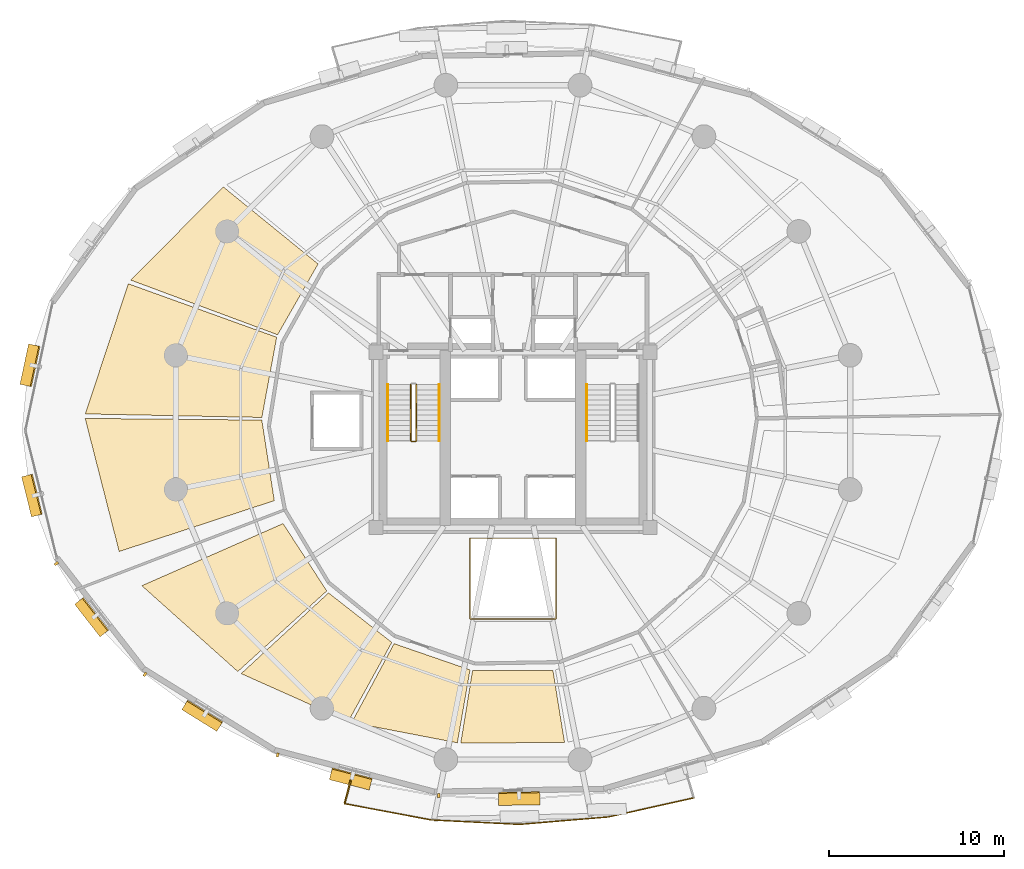
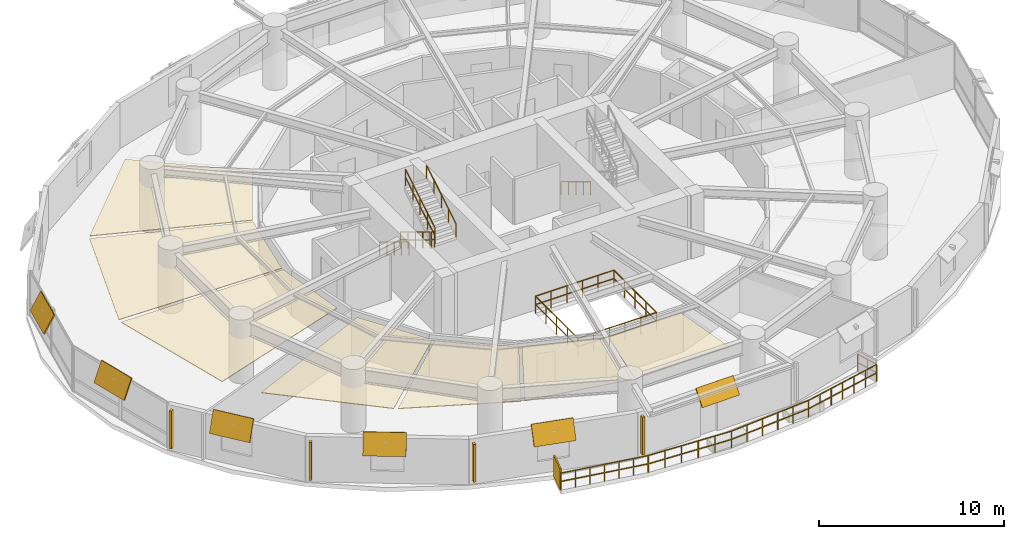
# One storey, part 15 of 17: 11 shading devices, 8 railings, 7 coverings.
"""IFC4 building model written with IfcOpenShell, lengths in metres."""

from ifc_helpers import new_model, si_unit, direction, frame, origin, origin_2d, place, context, subcontext, project, spatial, polyline, rectangle, outline, extrude, material, layer, layer_set, type_object, element, save


model = new_model("IFC4")

# Units and contexts
model_context = context("Model", 3, precision=1e-05, world=origin(), true_north=direction((0.0, 1.0)))
body_context = subcontext(model_context, "Body", "Model", "MODEL_VIEW")
ifc_project = project(units=[si_unit("LENGTHUNIT", "METRE"), si_unit("AREAUNIT", "SQUARE_METRE"), si_unit("VOLUMEUNIT", "CUBIC_METRE"), si_unit("PLANEANGLEUNIT", "RADIAN"), si_unit("MASSUNIT", "GRAM", prefix="KILO"), si_unit("THERMODYNAMICTEMPERATUREUNIT", "KELVIN"), si_unit("POWERUNIT", "WATT")], contexts=[model_context])

# Site, building, storey
site_placement = place(None, origin())
site = spatial("IfcSite", under=ifc_project, at=site_placement, CompositionType="ELEMENT")
building_placement = place(site_placement, origin())
building = spatial("IfcBuilding", under=site, at=building_placement, Name="Ocrelia Relay Tower", CompositionType="ELEMENT")
storey_placement = place(building_placement, frame((0.0, 0.0, 34.199951171875)))
storey = spatial("IfcBuildingStorey", under=building, at=storey_placement, Name="L07", CompositionType="ELEMENT", Elevation=34.199951171875)

# Coverings
ifc_material_1 = material(Name="Cleanroom metal-pan acoustic ceiling", Category="aluminium")
ifc_layer_1 = layer(ifc_material_1, 0.0400390625, Name="Cleanroom metal-pan acoustic ceiling")
ifc_layer_set_1 = layer_set([ifc_layer_1], Name="Cleanroom metal-pan acoustic ceiling")
covering_type = type_object("IfcCoveringType", Name="COV-CEIL-CLEAN", PredefinedType="CEILING", material=ifc_layer_set_1)
covering_1_placement = place(storey_placement, frame((0.0, 0.0, 2.920166015625)))
element("IfcCovering", 1, at=covering_1_placement, inside=storey, type_object=covering_type, Name="L07 Colocation Data Hall A Suspended Ceiling 5", PredefinedType="CEILING", context=body_context, shape_type="SweptSolid", body=[
    extrude(outline(polyline([(22.88818359375, 35.03271484375), (17.483642578125, 39.42578125), (12.204833984375, 34.11474609375), (20.580078125, 30.99658203125), (22.88818359375, 35.03271484375)])), origin(), (0.0, 0.0, 1.0), 0.039794921875),
])
covering_2_placement = place(storey_placement, frame((0.0, 0.0, 2.920166015625)))
element("IfcCovering", 2, at=covering_2_placement, inside=storey, type_object=covering_type, Name="L07 Colocation Data Hall A Suspended Ceiling 6", PredefinedType="CEILING", context=body_context, shape_type="SweptSolid", body=[
    extrude(outline(polyline([(20.5283203125, 30.855712890625), (12.06787109375, 33.9052734375), (9.616943359375, 26.4833984375), (19.682861328125, 26.28369140625), (20.5283203125, 30.855712890625)])), origin(), (0.0, 0.0, 1.0), 0.039794921875),
])
covering_3_placement = place(storey_placement, frame((0.0, 0.0, 2.920166015625)))
element("IfcCovering", 3, at=covering_3_placement, inside=storey, type_object=covering_type, Name="L07 Colocation Data Hall A Suspended Ceiling 7", PredefinedType="CEILING", context=body_context, shape_type="SweptSolid", body=[
    extrude(outline(polyline([(19.6806640625, 26.1337890625), (9.607421875, 26.22802734375), (11.546630859375, 18.639404296875), (20.392578125, 21.539306640625), (19.6806640625, 26.1337890625)])), origin(), (0.0, 0.0, 1.0), 0.039794921875),
])
covering_4_placement = place(storey_placement, frame((0.0, 0.0, 2.920166015625)))
element("IfcCovering", 4, at=covering_4_placement, inside=storey, type_object=covering_type, Name="L07 Hardware Testing Laboratory Suspended Ceiling 1", PredefinedType="CEILING", context=body_context, shape_type="SweptSolid", body=[
    extrude(outline(polyline([(20.892578125, 20.232666015625), (12.839111328125, 16.68896484375), (18.30859375, 11.796875), (23.38330078125, 16.39013671875), (20.892578125, 20.232666015625)])), origin(), (0.0, 0.0, 1.0), 0.039794921875),
])
covering_5_placement = place(storey_placement, frame((0.0, 0.0, 2.920166015625)))
element("IfcCovering", 5, at=covering_5_placement, inside=storey, type_object=covering_type, Name="L07 Hardware Testing Laboratory Suspended Ceiling 2", PredefinedType="CEILING", context=body_context, shape_type="SweptSolid", body=[
    extrude(outline(polyline([(23.484619140625, 16.279541015625), (18.504150390625, 11.67578125), (24.607421875, 8.949951171875), (27.09033203125, 13.457275390625), (23.484619140625, 16.279541015625)])), origin(), (0.0, 0.0, 1.0), 0.039794921875),
])
covering_6_placement = place(storey_placement, frame((0.0, 0.0, 2.920166015625)))
element("IfcCovering", 6, at=covering_6_placement, inside=storey, type_object=covering_type, Name="L07 Hardware Testing Laboratory Suspended Ceiling 3", PredefinedType="CEILING", context=body_context, shape_type="SweptSolid", body=[
    extrude(outline(polyline([(27.22216796875, 13.385498046875), (24.80615234375, 8.889404296875), (30.828125, 7.732421875), (31.55029296875, 11.89111328125), (27.22216796875, 13.385498046875)])), origin(), (0.0, 0.0, 1.0), 0.039794921875),
])
covering_7_placement = place(storey_placement, frame((0.0, 0.0, 2.920166015625)))
element("IfcCovering", 7, at=covering_7_placement, inside=storey, type_object=covering_type, Name="L07 Hardware Testing Laboratory Suspended Ceiling 4", PredefinedType="CEILING", context=body_context, shape_type="SweptSolid", body=[
    extrude(outline(polyline([(31.6982421875, 11.8662109375), (31.022216796875, 7.715087890625), (36.93896484375, 7.75390625), (36.277099609375, 11.8623046875), (31.6982421875, 11.8662109375)])), origin(), (0.0, 0.0, 1.0), 0.039794921875),
])

# Railings
ifc_material_2 = material(Name="Steel S355 balustrade", Category="steel")
railing_type_1 = type_object("IfcRailingType", Name="RL-EXT-GUARD-1150", PredefinedType="GUARDRAIL", material=ifc_material_2)
railing_1_placement = place(storey_placement, frame((43.918701171875, 5.929443359375, 0.0)))
element("IfcRailing", 8, at=railing_1_placement, inside=storey, type_object=railing_type_1, Name="L07 Loggia Balcony Guard Rail B2", PredefinedType="GUARDRAIL", context=body_context, shape_type="SweptSolid", body=[
    extrude(rectangle(XDim=0.048095703125, YDim=0.048095703125, at=origin_2d()), frame((0.0, 0.0, 1.1259765625), z_axis=(0.285901080499, -0.958259136231, 0.0), x_axis=(0.958259136231, 0.285901080499, 0.0)), (0.0, 0.0, 1.0), 1.3935546875),
    extrude(rectangle(XDim=0.048095703125, YDim=0.048095703125, at=origin_2d()), frame((0.0, 0.0, 0.574951171875), z_axis=(0.285901080499, -0.958259136231, 0.0), x_axis=(0.958259136231, 0.285901080499, 0.0)), (0.0, 0.0, 1.0), 1.3935546875),
    extrude(rectangle(XDim=0.048095703125, YDim=0.048095703125, at=origin_2d()), frame((0.3984375, -1.33544921875, 1.1259765625), z_axis=(-0.976007852595, -0.217735324815, 0.0), x_axis=(0.217735324815, -0.976007852595, 0.0)), (0.0, 0.0, 1.0), 2.5048828125),
    extrude(rectangle(XDim=0.048095703125, YDim=0.048095703125, at=origin_2d()), frame((0.3984375, -1.33544921875, 0.574951171875), z_axis=(-0.976007852595, -0.217735324815, 0.0), x_axis=(0.217735324815, -0.976007852595, 0.0)), (0.0, 0.0, 1.0), 2.5048828125),
    extrude(rectangle(XDim=0.048095703125, YDim=0.048095703125, at=origin_2d()), frame((-2.04638671875, -1.880859375, 1.1259765625), z_axis=(-0.976007852595, -0.217735324815, 0.0), x_axis=(0.217735324815, -0.976007852595, 0.0)), (0.0, 0.0, 1.0), 2.5048828125),
    extrude(rectangle(XDim=0.048095703125, YDim=0.048095703125, at=origin_2d()), frame((-2.04638671875, -1.880859375, 0.574951171875), z_axis=(-0.976007852595, -0.217735324815, 0.0), x_axis=(0.217735324815, -0.976007852595, 0.0)), (0.0, 0.0, 1.0), 2.5048828125),
    extrude(rectangle(XDim=0.048095703125, YDim=0.048095703125, at=origin_2d()), frame((-4.4912109375, -2.42626953125, 1.1259765625), z_axis=(-0.996505084187, -0.083532132674, 0.0), x_axis=(0.083532132674, -0.996505084187, 0.0)), (0.0, 0.0, 1.0), 5.065185546875),
    extrude(rectangle(XDim=0.048095703125, YDim=0.048095703125, at=origin_2d()), frame((-4.4912109375, -2.42626953125, 0.574951171875), z_axis=(-0.996505084187, -0.083532132674, 0.0), x_axis=(0.083532132674, -0.996505084187, 0.0)), (0.0, 0.0, 1.0), 5.065185546875),
    extrude(rectangle(XDim=0.048095703125, YDim=0.048095703125, at=origin_2d()), frame((-9.53857421875, -2.849365234375, 1.1259765625), z_axis=(-0.998725754375, 0.050466499268, 0.0), x_axis=(-0.050466499268, -0.998725754375, 0.0)), (0.0, 0.0, 1.0), 5.06494140625),
    extrude(rectangle(XDim=0.048095703125, YDim=0.048095703125, at=origin_2d()), frame((-9.53857421875, -2.849365234375, 0.574951171875), z_axis=(-0.998725754375, 0.050466499268, 0.0), x_axis=(-0.050466499268, -0.998725754375, 0.0)), (0.0, 0.0, 1.0), 5.06494140625),
    extrude(rectangle(XDim=0.048095703125, YDim=0.048095703125, at=origin_2d()), frame((-14.59716796875, -2.59375, 1.1259765625), z_axis=(-0.982705181143, 0.185177015191, 0.0), x_axis=(-0.185177015191, -0.982705181143, 0.0)), (0.0, 0.0, 1.0), 2.5048828125),
    extrude(rectangle(XDim=0.048095703125, YDim=0.048095703125, at=origin_2d()), frame((-14.59716796875, -2.59375, 0.574951171875), z_axis=(-0.982705181143, 0.185177015191, 0.0), x_axis=(-0.185177015191, -0.982705181143, 0.0)), (0.0, 0.0, 1.0), 2.5048828125),
    extrude(rectangle(XDim=0.048095703125, YDim=0.048095703125, at=origin_2d()), frame((-17.058837890625, -2.1298828125, 1.1259765625), z_axis=(-0.982687441441, 0.18527113222, 0.0), x_axis=(-0.18527113222, -0.982687441441, 0.0)), (0.0, 0.0, 1.0), 2.505126953125),
    extrude(rectangle(XDim=0.048095703125, YDim=0.048095703125, at=origin_2d()), frame((-17.058837890625, -2.1298828125, 0.574951171875), z_axis=(-0.982687441441, 0.18527113222, 0.0), x_axis=(-0.18527113222, -0.982687441441, 0.0)), (0.0, 0.0, 1.0), 2.505126953125),
    extrude(rectangle(XDim=0.048095703125, YDim=0.048095703125, at=origin_2d()), frame((-19.5205078125, -1.665771484375, 1.1259765625), z_axis=(0.254018997009, 0.9671992293, 0.0), x_axis=(-0.9671992293, 0.254018997009, 0.0)), (0.0, 0.0, 1.0), 1.3935546875),
    extrude(rectangle(XDim=0.048095703125, YDim=0.048095703125, at=origin_2d()), frame((-19.5205078125, -1.665771484375, 0.574951171875), z_axis=(0.254018997009, 0.9671992293, 0.0), x_axis=(-0.9671992293, 0.254018997009, 0.0)), (0.0, 0.0, 1.0), 1.3935546875),
    extrude(rectangle(XDim=0.0419921875, YDim=0.0419921875, at=origin_2d()), origin(), (0.0, 0.0, 1.0), 1.101806640625),
    extrude(rectangle(XDim=0.0419921875, YDim=0.0419921875, at=origin_2d()), frame((0.19921875, -0.667724609375, 0.0)), (0.0, 0.0, 1.0), 1.101806640625),
    extrude(rectangle(XDim=0.0419921875, YDim=0.0419921875, at=origin_2d()), frame((0.3984375, -1.33544921875, 0.0)), (0.0, 0.0, 1.0), 1.101806640625),
    extrude(rectangle(XDim=0.0419921875, YDim=0.0419921875, at=origin_2d()), frame((-0.41650390625, -1.517333984375, 0.0)), (0.0, 0.0, 1.0), 1.101806640625),
    extrude(rectangle(XDim=0.0419921875, YDim=0.0419921875, at=origin_2d()), frame((-1.2314453125, -1.698974609375, 0.0)), (0.0, 0.0, 1.0), 1.101806640625),
    extrude(rectangle(XDim=0.0419921875, YDim=0.0419921875, at=origin_2d()), frame((-2.04638671875, -1.880859375, 0.0)), (0.0, 0.0, 1.0), 1.101806640625),
    extrude(rectangle(XDim=0.0419921875, YDim=0.0419921875, at=origin_2d()), frame((-2.861328125, -2.062744140625, 0.0)), (0.0, 0.0, 1.0), 1.101806640625),
    extrude(rectangle(XDim=0.0419921875, YDim=0.0419921875, at=origin_2d()), frame((-3.67626953125, -2.244384765625, 0.0)), (0.0, 0.0, 1.0), 1.101806640625),
    extrude(rectangle(XDim=0.0419921875, YDim=0.0419921875, at=origin_2d()), frame((-4.4912109375, -2.42626953125, 0.0)), (0.0, 0.0, 1.0), 1.101806640625),
    extrude(rectangle(XDim=0.0419921875, YDim=0.0419921875, at=origin_2d()), frame((-5.500732421875, -2.510986328125, 0.0)), (0.0, 0.0, 1.0), 1.101806640625),
    extrude(rectangle(XDim=0.0419921875, YDim=0.0419921875, at=origin_2d()), frame((-6.51025390625, -2.595458984375, 0.0)), (0.0, 0.0, 1.0), 1.101806640625),
    extrude(rectangle(XDim=0.0419921875, YDim=0.0419921875, at=origin_2d()), frame((-7.51953125, -2.68017578125, 0.0)), (0.0, 0.0, 1.0), 1.101806640625),
    extrude(rectangle(XDim=0.0419921875, YDim=0.0419921875, at=origin_2d()), frame((-8.529052734375, -2.7646484375, 0.0)), (0.0, 0.0, 1.0), 1.101806640625),
    extrude(rectangle(XDim=0.0419921875, YDim=0.0419921875, at=origin_2d()), frame((-9.53857421875, -2.849365234375, 0.0)), (0.0, 0.0, 1.0), 1.101806640625),
    extrude(rectangle(XDim=0.0419921875, YDim=0.0419921875, at=origin_2d()), frame((-10.55029296875, -2.79833984375, 0.0)), (0.0, 0.0, 1.0), 1.101806640625),
    extrude(rectangle(XDim=0.0419921875, YDim=0.0419921875, at=origin_2d()), frame((-11.56201171875, -2.7470703125, 0.0)), (0.0, 0.0, 1.0), 1.101806640625),
    extrude(rectangle(XDim=0.0419921875, YDim=0.0419921875, at=origin_2d()), frame((-12.57373046875, -2.696044921875, 0.0)), (0.0, 0.0, 1.0), 1.101806640625),
    extrude(rectangle(XDim=0.0419921875, YDim=0.0419921875, at=origin_2d()), frame((-13.58544921875, -2.644775390625, 0.0)), (0.0, 0.0, 1.0), 1.101806640625),
    extrude(rectangle(XDim=0.0419921875, YDim=0.0419921875, at=origin_2d()), frame((-14.59716796875, -2.59375, 0.0)), (0.0, 0.0, 1.0), 1.101806640625),
    extrude(rectangle(XDim=0.0419921875, YDim=0.0419921875, at=origin_2d()), frame((-15.417724609375, -2.439208984375, 0.0)), (0.0, 0.0, 1.0), 1.101806640625),
    extrude(rectangle(XDim=0.0419921875, YDim=0.0419921875, at=origin_2d()), frame((-16.23828125, -2.284423828125, 0.0)), (0.0, 0.0, 1.0), 1.101806640625),
    extrude(rectangle(XDim=0.0419921875, YDim=0.0419921875, at=origin_2d()), frame((-17.058837890625, -2.1298828125, 0.0)), (0.0, 0.0, 1.0), 1.101806640625),
    extrude(rectangle(XDim=0.0419921875, YDim=0.0419921875, at=origin_2d()), frame((-17.87939453125, -1.97509765625, 0.0)), (0.0, 0.0, 1.0), 1.101806640625),
    extrude(rectangle(XDim=0.0419921875, YDim=0.0419921875, at=origin_2d()), frame((-18.699951171875, -1.820556640625, 0.0)), (0.0, 0.0, 1.0), 1.101806640625),
    extrude(rectangle(XDim=0.0419921875, YDim=0.0419921875, at=origin_2d()), frame((-19.5205078125, -1.665771484375, 0.0)), (0.0, 0.0, 1.0), 1.101806640625),
    extrude(rectangle(XDim=0.0419921875, YDim=0.0419921875, at=origin_2d()), frame((-19.343505859375, -0.99169921875, 0.0)), (0.0, 0.0, 1.0), 1.101806640625),
    extrude(rectangle(XDim=0.0419921875, YDim=0.0419921875, at=origin_2d()), frame((-19.16650390625, -0.31787109375, 0.0)), (0.0, 0.0, 1.0), 1.101806640625),
])
ifc_material_3 = material(Name="Steel S355 atrium balustrade", Category="steel")
railing_type_2 = type_object("IfcRailingType", Name="RL-INT-GUARD-115", PredefinedType="GUARDRAIL", material=ifc_material_3)
railing_2_placement = place(storey_placement, frame((31.550048828125, 14.800048828125, 0.0)))
element("IfcRailing", 9, at=railing_2_placement, inside=storey, type_object=railing_type_2, Name="L07 Multi-Zone Interior Atrium Guard", PredefinedType="GUARDRAIL", context=body_context, shape_type="SweptSolid", body=[
    extrude(rectangle(XDim=0.048095703125, YDim=0.048095703125, at=origin_2d()), frame((0.0, 0.0, 1.1259765625), z_axis=(1.0, 0.0, 0.0), x_axis=(0.0, 1.0, 0.0)), (0.0, 0.0, 1.0), 4.89990234375),
    extrude(rectangle(XDim=0.048095703125, YDim=0.048095703125, at=origin_2d()), frame((0.0, 0.0, 0.574951171875), z_axis=(1.0, 0.0, 0.0), x_axis=(0.0, 1.0, 0.0)), (0.0, 0.0, 1.0), 4.89990234375),
    extrude(rectangle(XDim=0.048095703125, YDim=0.048095703125, at=origin_2d()), frame((4.89990234375, 0.0, 1.1259765625), z_axis=(0.0, 1.0, 0.0), x_axis=(-1.0, 0.0, 0.0)), (0.0, 0.0, 1.0), 4.599853515625),
    extrude(rectangle(XDim=0.048095703125, YDim=0.048095703125, at=origin_2d()), frame((4.89990234375, 0.0, 0.574951171875), z_axis=(0.0, 1.0, 0.0), x_axis=(-1.0, 0.0, 0.0)), (0.0, 0.0, 1.0), 4.599853515625),
    extrude(rectangle(XDim=0.048095703125, YDim=0.048095703125, at=origin_2d()), frame((4.89990234375, 4.599853515625, 1.1259765625), z_axis=(-1.0, 0.0, 0.0), x_axis=(0.0, -1.0, 0.0)), (0.0, 0.0, 1.0), 4.89990234375),
    extrude(rectangle(XDim=0.048095703125, YDim=0.048095703125, at=origin_2d()), frame((4.89990234375, 4.599853515625, 0.574951171875), z_axis=(-1.0, 0.0, 0.0), x_axis=(0.0, -1.0, 0.0)), (0.0, 0.0, 1.0), 4.89990234375),
    extrude(rectangle(XDim=0.048095703125, YDim=0.048095703125, at=origin_2d()), frame((0.0, 4.599853515625, 1.1259765625), z_axis=(0.0, -1.0, 0.0), x_axis=(1.0, 0.0, 0.0)), (0.0, 0.0, 1.0), 4.599853515625),
    extrude(rectangle(XDim=0.048095703125, YDim=0.048095703125, at=origin_2d()), frame((0.0, 4.599853515625, 0.574951171875), z_axis=(0.0, -1.0, 0.0), x_axis=(1.0, 0.0, 0.0)), (0.0, 0.0, 1.0), 4.599853515625),
    extrude(rectangle(XDim=0.0419921875, YDim=0.0419921875, at=origin_2d()), origin(), (0.0, 0.0, 1.0), 1.101806640625),
    extrude(rectangle(XDim=0.0419921875, YDim=0.0419921875, at=origin_2d()), frame((0.97998046875, 0.0, 0.0)), (0.0, 0.0, 1.0), 1.101806640625),
    extrude(rectangle(XDim=0.0419921875, YDim=0.0419921875, at=origin_2d()), frame((1.9599609375, 0.0, 0.0)), (0.0, 0.0, 1.0), 1.101806640625),
    extrude(rectangle(XDim=0.0419921875, YDim=0.0419921875, at=origin_2d()), frame((2.93994140625, 0.0, 0.0)), (0.0, 0.0, 1.0), 1.101806640625),
    extrude(rectangle(XDim=0.0419921875, YDim=0.0419921875, at=origin_2d()), frame((3.919921875, 0.0, 0.0)), (0.0, 0.0, 1.0), 1.101806640625),
    extrude(rectangle(XDim=0.0419921875, YDim=0.0419921875, at=origin_2d()), frame((4.89990234375, 0.0, 0.0)), (0.0, 0.0, 1.0), 1.101806640625),
    extrude(rectangle(XDim=0.0419921875, YDim=0.0419921875, at=origin_2d()), frame((4.89990234375, 1.14990234375, 0.0)), (0.0, 0.0, 1.0), 1.101806640625),
    extrude(rectangle(XDim=0.0419921875, YDim=0.0419921875, at=origin_2d()), frame((4.89990234375, 2.2998046875, 0.0)), (0.0, 0.0, 1.0), 1.101806640625),
    extrude(rectangle(XDim=0.0419921875, YDim=0.0419921875, at=origin_2d()), frame((4.89990234375, 3.449951171875, 0.0)), (0.0, 0.0, 1.0), 1.101806640625),
    extrude(rectangle(XDim=0.0419921875, YDim=0.0419921875, at=origin_2d()), frame((4.89990234375, 4.599853515625, 0.0)), (0.0, 0.0, 1.0), 1.101806640625),
    extrude(rectangle(XDim=0.0419921875, YDim=0.0419921875, at=origin_2d()), frame((3.919921875, 4.599853515625, 0.0)), (0.0, 0.0, 1.0), 1.101806640625),
    extrude(rectangle(XDim=0.0419921875, YDim=0.0419921875, at=origin_2d()), frame((2.93994140625, 4.599853515625, 0.0)), (0.0, 0.0, 1.0), 1.101806640625),
    extrude(rectangle(XDim=0.0419921875, YDim=0.0419921875, at=origin_2d()), frame((1.9599609375, 4.599853515625, 0.0)), (0.0, 0.0, 1.0), 1.101806640625),
    extrude(rectangle(XDim=0.0419921875, YDim=0.0419921875, at=origin_2d()), frame((0.97998046875, 4.599853515625, 0.0)), (0.0, 0.0, 1.0), 1.101806640625),
    extrude(rectangle(XDim=0.0419921875, YDim=0.0419921875, at=origin_2d()), frame((0.0, 4.599853515625, 0.0)), (0.0, 0.0, 1.0), 1.101806640625),
    extrude(rectangle(XDim=0.0419921875, YDim=0.0419921875, at=origin_2d()), frame((0.0, 3.449951171875, 0.0)), (0.0, 0.0, 1.0), 1.101806640625),
    extrude(rectangle(XDim=0.0419921875, YDim=0.0419921875, at=origin_2d()), frame((0.0, 2.2998046875, 0.0)), (0.0, 0.0, 1.0), 1.101806640625),
    extrude(rectangle(XDim=0.0419921875, YDim=0.0419921875, at=origin_2d()), frame((0.0, 1.14990234375, 0.0)), (0.0, 0.0, 1.0), 1.101806640625),
])
railing_type_3 = type_object("IfcRailingType", Name="RL-STAIR-GUARD", PredefinedType="GUARDRAIL", material=ifc_material_2)
railing_3_placement = place(storey_placement, frame((28.179931640625, 28.14990234375, 0.175048828125)))
element("IfcRailing", 10, at=railing_3_placement, inside=storey, type_object=railing_type_3, Name="L07 ST1 stair guard 1", PredefinedType="GUARDRAIL", context=body_context, shape_type="SweptSolid", body=[
    extrude(rectangle(XDim=0.048095703125, YDim=0.048095703125, at=origin_2d()), frame((0.0, 0.0, 1.076171875), z_axis=(0.0, -0.856177665481, 0.516681531633), x_axis=(1.0, 0.0, 0.0)), (0.0, 0.0, 1.0), 3.725830078125),
    extrude(rectangle(XDim=0.048095703125, YDim=0.048095703125, at=origin_2d()), frame((0.0, 0.0, 0.550048828125), z_axis=(0.0, -0.856177665481, 0.516681531633), x_axis=(1.0, 0.0, 0.0)), (0.0, 0.0, 1.0), 3.725830078125),
    extrude(rectangle(XDim=0.0419921875, YDim=0.0419921875, at=origin_2d()), origin(), (0.0, 0.0, 1.0), 1.052001953125),
    extrude(rectangle(XDim=0.0419921875, YDim=0.0419921875, at=origin_2d()), frame((0.0, -0.79736328125, 0.481201171875)), (0.0, 0.0, 1.0), 1.052001953125),
    extrude(rectangle(XDim=0.0419921875, YDim=0.0419921875, at=origin_2d()), frame((0.0, -1.594970703125, 0.96240234375)), (0.0, 0.0, 1.0), 1.052001953125),
    extrude(rectangle(XDim=0.0419921875, YDim=0.0419921875, at=origin_2d()), frame((0.0, -2.392578125, 1.44384765625)), (0.0, 0.0, 1.0), 1.052001953125),
    extrude(rectangle(XDim=0.0419921875, YDim=0.0419921875, at=origin_2d()), frame((0.0, -3.18994140625, 1.925048828125)), (0.0, 0.0, 1.0), 1.052001953125),
])
railing_4_placement = place(storey_placement, frame((28.22998046875, 24.909912109375, 2.10009765625)))
element("IfcRailing", 11, at=railing_4_placement, inside=storey, type_object=railing_type_3, Name="L07 ST1 stair guard 2", PredefinedType="GUARDRAIL", context=body_context, shape_type="SweptSolid", body=[
    extrude(rectangle(XDim=0.048095703125, YDim=0.048095703125, at=origin_2d()), frame((0.0, 0.0, 1.076171875), z_axis=(1.0, 0.0, 0.0), x_axis=(0.0, 1.0, 0.0)), (0.0, 0.0, 1.0), 0.199951171875),
    extrude(rectangle(XDim=0.048095703125, YDim=0.048095703125, at=origin_2d()), frame((0.0, 0.0, 0.550048828125), z_axis=(1.0, 0.0, 0.0), x_axis=(0.0, 1.0, 0.0)), (0.0, 0.0, 1.0), 0.199951171875),
    extrude(rectangle(XDim=0.0419921875, YDim=0.0419921875, at=origin_2d()), origin(), (0.0, 0.0, 1.0), 1.052001953125),
    extrude(rectangle(XDim=0.0419921875, YDim=0.0419921875, at=origin_2d()), frame((0.199951171875, 0.0, 0.0)), (0.0, 0.0, 1.0), 1.052001953125),
])
railing_5_placement = place(storey_placement, frame((28.47998046875, 24.9599609375, 2.275146484375)))
element("IfcRailing", 12, at=railing_5_placement, inside=storey, type_object=railing_type_3, Name="L07 ST1 stair guard 3", PredefinedType="GUARDRAIL", context=body_context, shape_type="SweptSolid", body=[
    extrude(rectangle(XDim=0.048095703125, YDim=0.048095703125, at=origin_2d()), frame((0.0, 0.0, 1.076171875), z_axis=(0.0, 0.856206652436, 0.516633495163), x_axis=(-1.0, 0.0, 0.0)), (0.0, 0.0, 1.0), 3.7255859375),
    extrude(rectangle(XDim=0.048095703125, YDim=0.048095703125, at=origin_2d()), frame((0.0, 0.0, 0.550048828125), z_axis=(0.0, 0.856206652436, 0.516633495163), x_axis=(-1.0, 0.0, 0.0)), (0.0, 0.0, 1.0), 3.7255859375),
    extrude(rectangle(XDim=0.0419921875, YDim=0.0419921875, at=origin_2d()), origin(), (0.0, 0.0, 1.0), 1.052001953125),
    extrude(rectangle(XDim=0.0419921875, YDim=0.0419921875, at=origin_2d()), frame((0.0, 0.79736328125, 0.481201171875)), (0.0, 0.0, 1.0), 1.052001953125),
    extrude(rectangle(XDim=0.0419921875, YDim=0.0419921875, at=origin_2d()), frame((0.0, 1.594970703125, 0.96240234375)), (0.0, 0.0, 1.0), 1.052001953125),
    extrude(rectangle(XDim=0.0419921875, YDim=0.0419921875, at=origin_2d()), frame((0.0, 2.392578125, 1.443603515625)), (0.0, 0.0, 1.0), 1.052001953125),
    extrude(rectangle(XDim=0.0419921875, YDim=0.0419921875, at=origin_2d()), frame((0.0, 3.18994140625, 1.9248046875)), (0.0, 0.0, 1.0), 1.052001953125),
])
ifc_material_4 = material(Name="Steel S355 tubular handrail", Category="steel")
railing_type_4 = type_object("IfcRailingType", Name="RL-STAIR-HAND", PredefinedType="HANDRAIL", material=ifc_material_4)
railing_6_placement = place(storey_placement, frame((26.860107421875, 28.14990234375, 0.175048828125)))
element("IfcRailing", 13, at=railing_6_placement, inside=storey, type_object=railing_type_4, Name="L07 ST1 stair handrail 1", PredefinedType="HANDRAIL", context=body_context, shape_type="SweptSolid", body=[
    extrude(rectangle(XDim=0.048095703125, YDim=0.048095703125, at=origin_2d()), frame((0.0, 0.0, 0.8759765625), z_axis=(0.0, -0.856177665481, 0.516681531633), x_axis=(1.0, 0.0, 0.0)), (0.0, 0.0, 1.0), 3.725830078125),
    extrude(rectangle(XDim=0.0419921875, YDim=0.0419921875, at=origin_2d()), origin(), (0.0, 0.0, 1.0), 0.851806640625),
    extrude(rectangle(XDim=0.0419921875, YDim=0.0419921875, at=origin_2d()), frame((0.0, -0.79736328125, 0.481201171875)), (0.0, 0.0, 1.0), 0.851806640625),
    extrude(rectangle(XDim=0.0419921875, YDim=0.0419921875, at=origin_2d()), frame((0.0, -1.594970703125, 0.96240234375)), (0.0, 0.0, 1.0), 0.851806640625),
    extrude(rectangle(XDim=0.0419921875, YDim=0.0419921875, at=origin_2d()), frame((0.0, -2.392578125, 1.44384765625)), (0.0, 0.0, 1.0), 0.851806640625),
    extrude(rectangle(XDim=0.0419921875, YDim=0.0419921875, at=origin_2d()), frame((0.0, -3.18994140625, 1.925048828125)), (0.0, 0.0, 1.0), 0.851806640625),
])
railing_7_placement = place(storey_placement, frame((29.800048828125, 24.9599609375, 2.275146484375)))
element("IfcRailing", 14, at=railing_7_placement, inside=storey, type_object=railing_type_4, Name="L07 ST1 stair handrail 2", PredefinedType="HANDRAIL", context=body_context, shape_type="SweptSolid", body=[
    extrude(rectangle(XDim=0.048095703125, YDim=0.048095703125, at=origin_2d()), frame((0.0, 0.0, 0.8759765625), z_axis=(0.0, 0.856206652436, 0.516633495163), x_axis=(-1.0, 0.0, 0.0)), (0.0, 0.0, 1.0), 3.7255859375),
    extrude(rectangle(XDim=0.0419921875, YDim=0.0419921875, at=origin_2d()), origin(), (0.0, 0.0, 1.0), 0.851806640625),
    extrude(rectangle(XDim=0.0419921875, YDim=0.0419921875, at=origin_2d()), frame((0.0, 0.79736328125, 0.481201171875)), (0.0, 0.0, 1.0), 0.851806640625),
    extrude(rectangle(XDim=0.0419921875, YDim=0.0419921875, at=origin_2d()), frame((0.0, 1.594970703125, 0.96240234375)), (0.0, 0.0, 1.0), 0.851806640625),
    extrude(rectangle(XDim=0.0419921875, YDim=0.0419921875, at=origin_2d()), frame((0.0, 2.392578125, 1.443603515625)), (0.0, 0.0, 1.0), 0.851806640625),
    extrude(rectangle(XDim=0.0419921875, YDim=0.0419921875, at=origin_2d()), frame((0.0, 3.18994140625, 1.9248046875)), (0.0, 0.0, 1.0), 0.851806640625),
])
railing_8_placement = place(storey_placement, frame((38.2099609375, 28.14990234375, 0.175048828125)))
element("IfcRailing", 15, at=railing_8_placement, inside=storey, type_object=railing_type_4, Name="L07 ST2 stair handrail 1", PredefinedType="HANDRAIL", context=body_context, shape_type="SweptSolid", body=[
    extrude(rectangle(XDim=0.048095703125, YDim=0.048095703125, at=origin_2d()), frame((0.0, 0.0, 0.8759765625), z_axis=(0.0, -0.856177665481, 0.516681531633), x_axis=(1.0, 0.0, 0.0)), (0.0, 0.0, 1.0), 3.725830078125),
    extrude(rectangle(XDim=0.0419921875, YDim=0.0419921875, at=origin_2d()), origin(), (0.0, 0.0, 1.0), 0.851806640625),
    extrude(rectangle(XDim=0.0419921875, YDim=0.0419921875, at=origin_2d()), frame((0.0, -0.79736328125, 0.481201171875)), (0.0, 0.0, 1.0), 0.851806640625),
    extrude(rectangle(XDim=0.0419921875, YDim=0.0419921875, at=origin_2d()), frame((0.0, -1.594970703125, 0.96240234375)), (0.0, 0.0, 1.0), 0.851806640625),
    extrude(rectangle(XDim=0.0419921875, YDim=0.0419921875, at=origin_2d()), frame((0.0, -2.392578125, 1.44384765625)), (0.0, 0.0, 1.0), 0.851806640625),
    extrude(rectangle(XDim=0.0419921875, YDim=0.0419921875, at=origin_2d()), frame((0.0, -3.18994140625, 1.925048828125)), (0.0, 0.0, 1.0), 0.851806640625),
])

# Shading devices
ifc_material_5 = material(Name="Perforated oxide terracotta solar screen", Category="masonry")
ifc_layer_2 = layer(ifc_material_5, 0.090087890625, Name="Perforated oxide terracotta solar screen")
ifc_layer_set_2 = layer_set([ifc_layer_2], Name="Perforated oxide terracotta solar screen")
shading_device_type_1 = type_object("IfcShadingDeviceType", Name="SH-BALC-SCREEN", PredefinedType="USERDEFINED", material=ifc_layer_set_2)
shading_device_1_placement = place(storey_placement, frame((24.5751953125, 4.9375, 0.0), z_axis=(0.0, 0.0, 1.0), x_axis=(-0.25403407431, -0.967195269369, 0.0)))
element("IfcShadingDevice", 16, at=shading_device_1_placement, inside=storey, type_object=shading_device_type_1, Name="L07 Balcony Perforated Terracotta Screen B2-1", ObjectType="SCREEN", PredefinedType="USERDEFINED", context=body_context, shape_type="SweptSolid", body=[
    extrude(rectangle(XDim=1.340087890625, YDim=0.090087890625, at=origin_2d()), origin(), (0.0, 0.0, 1.0), 1.39990234375),
])
ifc_material_6 = material(Name="Extruded oxide terracotta vertical baguette", Category="masonry")
shading_device_type_2 = type_object("IfcShadingDeviceType", Name="SH-TERR-BAGUETTE", PredefinedType="USERDEFINED", material=ifc_material_6)
for number, where, z_axis, x_axis, name in (
    (17, (7.967041015625, 17.9521484375, 0.25), (0.0, 0.0, 1.0), (0.614968860036, -0.788551394131, 0.0), "L07 Oxide Terracotta Vertical Baguette 11"),
    (18, (13.0166015625, 11.635498046875, 0.25), (0.0, 0.0, 1.0), (0.850007396086, -0.526770753364, 0.0), "L07 Oxide Terracotta Vertical Baguette 12"),
    (19, (20.581787109375, 7.04248046875, 0.25), (0.0, 0.0, 1.0), (0.967567531803, -0.252612492565, 0.0), "L07 Oxide Terracotta Vertical Baguette 13"),
    (20, (29.764892578125, 4.720458984375, 0.25), (0.0, 0.0, 1.0), (0.999862502916, 0.01658237808, 0.0), "L07 Oxide Terracotta Vertical Baguette 14"),
):
    element("IfcShadingDevice", number, at=place(storey_placement, frame(where, z_axis=z_axis, x_axis=x_axis)), inside=storey, type_object=shading_device_type_2, Name=name, ObjectType="BAGUETTE", PredefinedType="USERDEFINED", context=body_context, shape_type="SweptSolid", body=[
        extrude(rectangle(XDim=0.139892578125, YDim=0.239990234375, at=origin_2d()), origin(), (0.0, 0.0, 1.0), 2.5),
    ])
ifc_material_7 = material(Name="Extruded oxide terracotta fin", Category="masonry")
ifc_layer_3 = layer(ifc_material_7, 0.080078125, Name="Extruded oxide terracotta fin")
ifc_layer_set_3 = layer_set([ifc_layer_3], Name="Extruded oxide terracotta fin")
shading_device_type_3 = type_object("IfcShadingDeviceType", Name="SH-VISOR-FIN-DEEP", PredefinedType="USERDEFINED", material=ifc_layer_set_3)
shading_device_2_placement = place(storey_placement, frame((6.498779296875, 29.248779296875, 2.821533203125), z_axis=(-0.86688251654, 0.184430980436, 0.463141356361), x_axis=(-0.208094574378, -0.978108709763, 0.0)))
element("IfcShadingDevice", 21, at=shading_device_2_placement, inside=storey, type_object=shading_device_type_3, Name="L07 Canted Terracotta Sun-Visor Fin 09", ObjectType="FIN", PredefinedType="USERDEFINED", context=body_context, shape_type="SweptSolid", body=[
    extrude(rectangle(XDim=2.35009765625, YDim=1.2900390625, at=origin_2d()), origin(), (0.0, 0.0, 1.0), 0.080078125),
])
shading_device_3_placement = place(storey_placement, frame((6.610107421875, 21.839599609375, 2.8232421875), z_axis=(-0.879944475115, -0.217927623748, 0.422143662183), x_axis=(0.240397865841, -0.970674438779, 0.0)))
element("IfcShadingDevice", 22, at=shading_device_3_placement, inside=storey, type_object=shading_device_type_3, Name="L07 Canted Terracotta Sun-Visor Fin 10", ObjectType="FIN", PredefinedType="USERDEFINED", context=body_context, shape_type="SweptSolid", body=[
    extrude(rectangle(XDim=2.35009765625, YDim=1.333984375, at=origin_2d()), origin(), (0.0, 0.0, 1.0), 0.080078125),
])
shading_device_4_placement = place(storey_placement, frame((10.0078125, 14.916748046875, 2.82373046875), z_axis=(-0.720377544226, -0.561802008677, 0.406736643076), x_axis=(0.614968860036, -0.788551394131, 0.0)))
element("IfcShadingDevice", 23, at=shading_device_4_placement, inside=storey, type_object=shading_device_type_3, Name="L07 Canted Terracotta Sun-Visor Fin 11", ObjectType="FIN", PredefinedType="USERDEFINED", context=body_context, shape_type="SweptSolid", body=[
    extrude(rectangle(XDim=2.35009765625, YDim=1.35009765625, at=origin_2d()), origin(), (0.0, 0.0, 1.0), 0.080078125),
])
shading_device_5_placement = place(storey_placement, frame((16.302734375, 9.306884765625, 2.822998046875), z_axis=(-0.476558107746, -0.768983307562, 0.426095109843), x_axis=(0.850007396086, -0.526770753364, 0.0)))
element("IfcShadingDevice", 24, at=shading_device_5_placement, inside=storey, type_object=shading_device_type_3, Name="L07 Canted Terracotta Sun-Visor Fin 12", ObjectType="FIN", PredefinedType="USERDEFINED", context=body_context, shape_type="SweptSolid", body=[
    extrude(rectangle(XDim=2.35009765625, YDim=1.330078125, at=origin_2d()), origin(), (0.0, 0.0, 1.0), 0.080078125),
])
shading_device_6_placement = place(storey_placement, frame((24.761474609375, 5.70458984375, 2.8203125), z_axis=(-0.219295985443, -0.839957173988, 0.496368025395), x_axis=(0.967567531803, -0.252612492565, 0.0)))
element("IfcShadingDevice", 25, at=shading_device_6_placement, inside=storey, type_object=shading_device_type_3, Name="L07 Canted Terracotta Sun-Visor Fin 13", ObjectType="FIN", PredefinedType="USERDEFINED", context=body_context, shape_type="SweptSolid", body=[
    extrude(rectangle(XDim=2.35009765625, YDim=1.25390625, at=origin_2d()), origin(), (0.0, 0.0, 1.0), 0.080078125),
])
ifc_layer_4 = layer(ifc_material_7, 0.080078125, Name="Extruded oxide terracotta fin")
ifc_layer_set_4 = layer_set([ifc_layer_4], Name="Extruded oxide terracotta fin")
shading_device_type_4 = type_object("IfcShadingDeviceType", Name="SH-VISOR-FIN-MED", PredefinedType="USERDEFINED", material=ifc_layer_set_4)
shading_device_7_placement = place(storey_placement, frame((34.355224609375, 4.58642578125, 2.8154296875), z_axis=(0.013027795766, -0.785532956706, 0.618682673481), x_axis=(0.999862502916, 0.01658237808, 0.0)))
element("IfcShadingDevice", 26, at=shading_device_7_placement, inside=storey, type_object=shading_device_type_4, Name="L07 Canted Terracotta Sun-Visor Fin 14", ObjectType="FIN", PredefinedType="USERDEFINED", context=body_context, shape_type="SweptSolid", body=[
    extrude(rectangle(XDim=2.35009765625, YDim=1.113037109375, at=origin_2d()), origin(), (0.0, 0.0, 1.0), 0.080078125),
])

save(model, "model.ifc")
